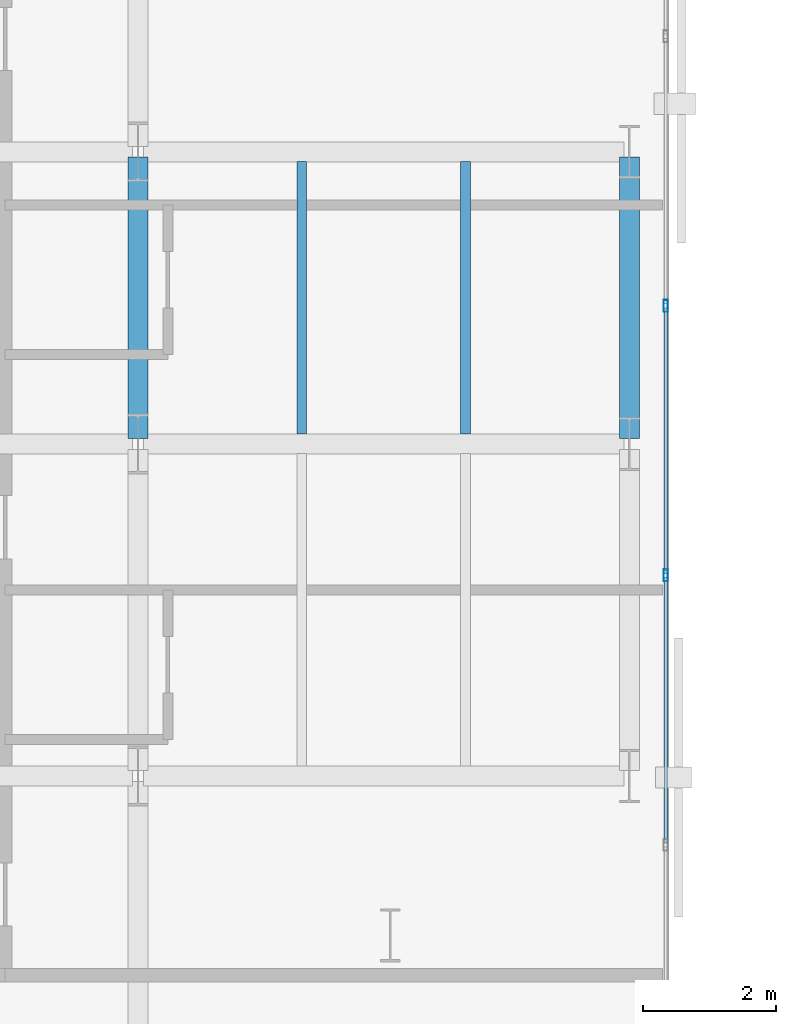
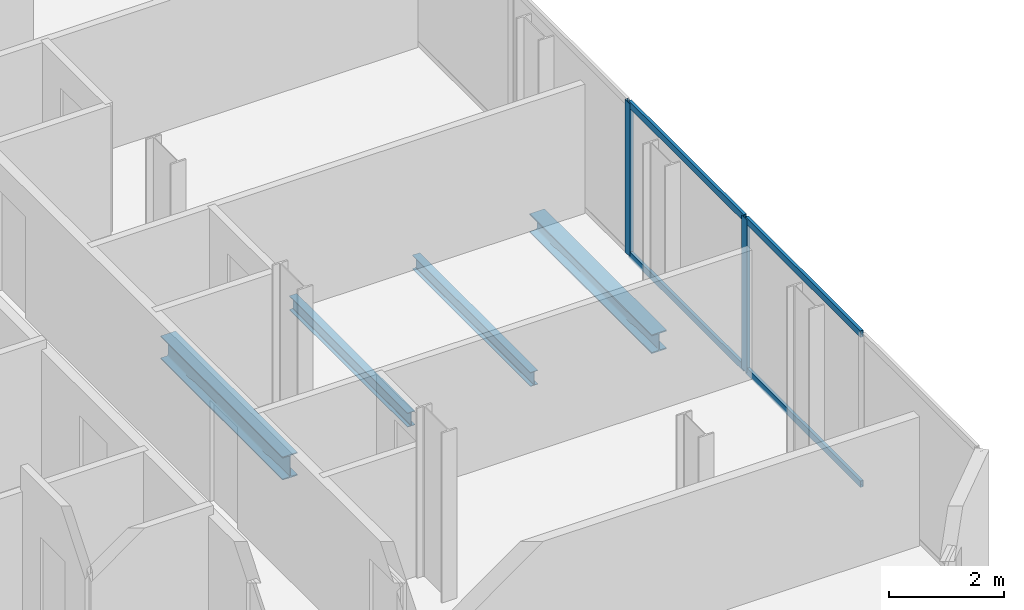
# One storey, part 8 of 33: 6 members, 4 beams, 1 element without a shape of its own.
"""IFC4 building model written with IfcOpenShell, lengths in metres."""

from ifc_helpers import new_model, si_unit, direction, frame, origin, origin_2d, place, context, subcontext, project, spatial, hollow_rectangle, i_section, extrude, material, layer, layer_set, material_profile, profile_set, type_object, element, aggregate, save


model = new_model("IFC4")

# Units and contexts
model_context = context("Model", 3, precision=1e-05, world=origin(), true_north=direction((0.0, 1.0)))
body_context = subcontext(model_context, "Body", "Model", "MODEL_VIEW")
ifc_project = project(units=[si_unit("LENGTHUNIT", "METRE"), si_unit("AREAUNIT", "SQUARE_METRE"), si_unit("VOLUMEUNIT", "CUBIC_METRE"), si_unit("PLANEANGLEUNIT", "RADIAN"), si_unit("MASSUNIT", "GRAM", prefix="KILO")], contexts=[model_context])

# Site, building, storey
site_placement = place(None, origin())
site = spatial("IfcSite", under=ifc_project, at=site_placement, CompositionType="ELEMENT")
building_placement = place(site_placement, origin())
building = spatial("IfcBuilding", under=site, at=building_placement, Name="Catumbela Crestline Tower", CompositionType="ELEMENT")
storey_placement = place(building_placement, frame((0.0, 0.0, 76.2)))
storey = spatial("IfcBuildingStorey", under=building, at=storey_placement, Name="L19", CompositionType="ELEMENT", Elevation=76.2)

# Beams
ifc_material_1 = material(Name="Structural steel S355J2", Category="steel")
ifc_material_profile_1 = material_profile(ifc_material_1, i_section(OverallWidth=0.3, OverallDepth=0.49, WebThickness=0.012, FlangeThickness=0.023, FilletRadius=0.027, at=origin_2d()), Name="HEA 500")
ifc_profile_set_1 = profile_set([ifc_material_profile_1], Name="Structural steel S355J2")
beam_type_1 = type_object("IfcBeamType", Name="BG-HEA500", PredefinedType="BEAM", material=ifc_profile_set_1)
beam_1_placement = place(storey_placement, frame((16.0, 13.68, -0.505), z_axis=(0.0, 1.0, 0.0), x_axis=(-1.0, 0.0, 0.0)))
element("IfcBeam", 1, at=beam_1_placement, inside=storey, type_object=beam_type_1, Name="L19 Beam BM-L19-WNS66", PredefinedType="BEAM", context=body_context, shape_type="SweptSolid", body=[
    extrude(i_section(OverallWidth=0.3, OverallDepth=0.49, WebThickness=0.012, FlangeThickness=0.023, FilletRadius=0.027, at=origin_2d()), origin(), (0.0, 0.0, 1.0), 4.24),
])
ifc_material_profile_2 = material_profile(ifc_material_1, i_section(OverallWidth=0.15, OverallDepth=0.3, WebThickness=0.0071, FlangeThickness=0.0107, FilletRadius=0.015, at=origin_2d()), Name="IPE 300")
ifc_profile_set_2 = profile_set([ifc_material_profile_2], Name="Structural steel S355J2")
beam_type_2 = type_object("IfcBeamType", Name="BJ-IPE300", PredefinedType="JOIST", material=ifc_profile_set_2)
for number, where, z_axis, x_axis, name in (
    (2, (18.467, 13.747, -0.41), (0.0, 1.0, 0.0), (-1.0, 0.0, 0.0), "L19 Joist JS-L19-WG80"),
    (3, (20.933, 13.747, -0.41), (0.0, 1.0, 0.0), (-1.0, 0.0, 0.0), "L19 Joist JS-L19-WG81"),
):
    element("IfcBeam", number, at=place(storey_placement, frame(where, z_axis=z_axis, x_axis=x_axis)), inside=storey, type_object=beam_type_2, Name=name, PredefinedType="JOIST", context=body_context, shape_type="SweptSolid", body=[
        extrude(i_section(OverallWidth=0.15, OverallDepth=0.3, WebThickness=0.0071, FlangeThickness=0.0107, FilletRadius=0.015, at=origin_2d()), origin(), (0.0, 0.0, 1.0), 4.106),
    ])

# Curtain wall, members
ifc_material_2 = material(Name="Aluminium alloy AW-6060-T66", Category="aluminium")
ifc_layer = layer(ifc_material_2, 0.18, Name="Aluminium alloy AW-6060-T66")
ifc_layer_set = layer_set([ifc_layer], Name="Aluminium alloy AW-6060-T66")
curtain_wall_type = type_object("IfcCurtainWallType", Name="CWU-Z1", PredefinedType="USERDEFINED", material=ifc_layer_set)
curtain_wall_placement = place(storey_placement, origin())
curtain_wall = element("IfcCurtainWall", 4, at=curtain_wall_placement, inside=storey, type_object=curtain_wall_type, Name="L19 Unitised Curtain Wall CW-L19-E2S1", ObjectType="UNITISED", PredefinedType="USERDEFINED")
ifc_material_profile_3 = material_profile(ifc_material_2, hollow_rectangle(XDim=0.065, YDim=0.18, WallThickness=0.004, at=origin_2d()), Name="ALU 180x65x4")
ifc_profile_set_3 = profile_set([ifc_material_profile_3], Name="Aluminium alloy AW-6060-T66")
member_type_1 = type_object("IfcMemberType", Name="MUL-180X65", PredefinedType="MULLION", material=ifc_profile_set_3)
member_1_placement = place(storey_placement, frame((23.95, 11.62, 0.0), z_axis=(0.0, 0.0, 1.0), x_axis=(-1.0, 0.0, 0.0)))
member_1 = element("IfcMember", 5, at=member_1_placement, type_object=member_type_1, Name="CWU-Z1 mullion 3", PredefinedType="MULLION", context=body_context, shape_type="SweptSolid", body=[
    extrude(hollow_rectangle(XDim=0.065, YDim=0.18, WallThickness=0.004, at=origin_2d()), origin(), (0.0, 0.0, 1.0), 3.24),
])
member_2_placement = place(storey_placement, frame((23.95, 15.68, 0.0), z_axis=(0.0, 0.0, 1.0), x_axis=(-1.0, 0.0, 0.0)))
member_2 = element("IfcMember", 6, at=member_2_placement, type_object=member_type_1, Name="CWU-Z1 mullion 4", PredefinedType="MULLION", context=body_context, shape_type="SweptSolid", body=[
    extrude(hollow_rectangle(XDim=0.065, YDim=0.18, WallThickness=0.004, at=origin_2d()), origin(), (0.0, 0.0, 1.0), 3.24),
])

# Beam
ifc_material_profile_4 = material_profile(ifc_material_1, i_section(OverallWidth=0.3, OverallDepth=0.4, WebThickness=0.0135, FlangeThickness=0.024, FilletRadius=0.027, at=origin_2d()), Name="HEB 400")
ifc_profile_set_4 = profile_set([ifc_material_profile_4], Name="Structural steel S355J2")
beam_type_3 = type_object("IfcBeamType", Name="BS-HEB400", PredefinedType="SPANDREL", material=ifc_profile_set_4)
beam_2_placement = place(storey_placement, frame((23.4, 13.68, -0.46), z_axis=(0.0, 1.0, 0.0), x_axis=(-1.0, 0.0, 0.0)))
element("IfcBeam", 7, at=beam_2_placement, inside=storey, type_object=beam_type_3, Name="L19 Spandrel SP-L19-WNS69", PredefinedType="SPANDREL", context=body_context, shape_type="SweptSolid", body=[
    extrude(i_section(OverallWidth=0.3, OverallDepth=0.4, WebThickness=0.0135, FlangeThickness=0.024, FilletRadius=0.027, at=origin_2d()), origin(), (0.0, 0.0, 1.0), 4.24),
])

# Member
ifc_material_profile_5 = material_profile(ifc_material_2, hollow_rectangle(XDim=0.06, YDim=0.14, WallThickness=0.004, at=origin_2d()), Name="ALU 140x60x4")
ifc_profile_set_5 = profile_set([ifc_material_profile_5], Name="Aluminium alloy AW-6060-T66")
member_type_2 = type_object("IfcMemberType", Name="TRN-140X60", PredefinedType="USERDEFINED", material=ifc_profile_set_5)
member_3_placement = place(storey_placement, frame((23.95, 7.5925, 0.03), z_axis=(0.0, 1.0, 0.0), x_axis=(-1.0, 0.0, 0.0)))
member_3 = element("IfcMember", 8, at=member_3_placement, type_object=member_type_2, Name="CWU-Z1 transom 2.1", ObjectType="TRANSOM", PredefinedType="USERDEFINED", context=body_context, shape_type="SweptSolid", body=[
    extrude(hollow_rectangle(XDim=0.06, YDim=0.14, WallThickness=0.004, at=origin_2d()), origin(), (0.0, 0.0, 1.0), 3.995),
])

member_4_placement = place(storey_placement, frame((23.95, 7.5925, 3.21), z_axis=(0.0, 1.0, 0.0), x_axis=(-1.0, 0.0, 0.0)))
member_4 = element("IfcMember", 9, at=member_4_placement, type_object=member_type_2, Name="CWU-Z1 transom 2.2", ObjectType="TRANSOM", PredefinedType="USERDEFINED", context=body_context, shape_type="SweptSolid", body=[
    extrude(hollow_rectangle(XDim=0.06, YDim=0.14, WallThickness=0.004, at=origin_2d()), origin(), (0.0, 0.0, 1.0), 3.995),
])

member_5_placement = place(storey_placement, frame((23.95, 11.6525, 0.03), z_axis=(0.0, 1.0, 0.0), x_axis=(-1.0, 0.0, 0.0)))
member_5 = element("IfcMember", 10, at=member_5_placement, type_object=member_type_2, Name="CWU-Z1 transom 3.1", ObjectType="TRANSOM", PredefinedType="USERDEFINED", context=body_context, shape_type="SweptSolid", body=[
    extrude(hollow_rectangle(XDim=0.06, YDim=0.14, WallThickness=0.004, at=origin_2d()), origin(), (0.0, 0.0, 1.0), 3.995),
])

member_6_placement = place(storey_placement, frame((23.95, 11.6525, 3.21), z_axis=(0.0, 1.0, 0.0), x_axis=(-1.0, 0.0, 0.0)))
member_6 = element("IfcMember", 11, at=member_6_placement, type_object=member_type_2, Name="CWU-Z1 transom 3.2", ObjectType="TRANSOM", PredefinedType="USERDEFINED", context=body_context, shape_type="SweptSolid", body=[
    extrude(hollow_rectangle(XDim=0.06, YDim=0.14, WallThickness=0.004, at=origin_2d()), origin(), (0.0, 0.0, 1.0), 3.995),
])

aggregate(curtain_wall, [member_1, member_2, member_3, member_4, member_5, member_6])

save(model, "model.ifc")
